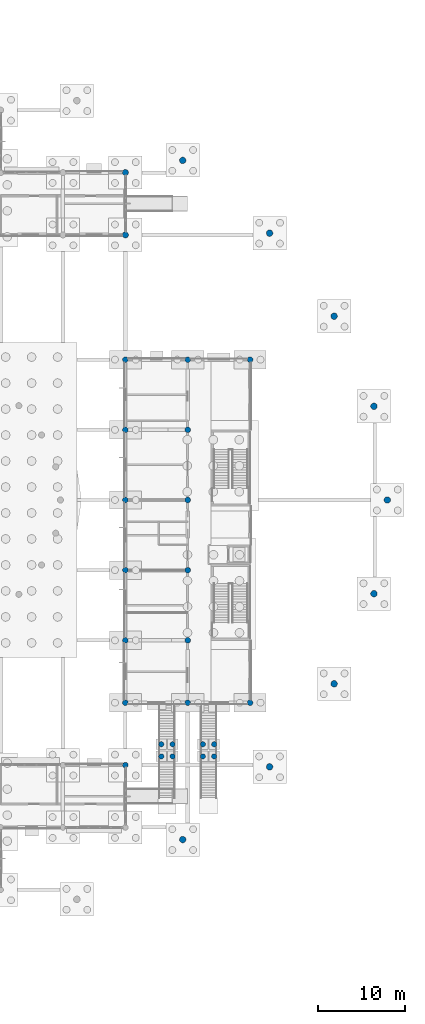
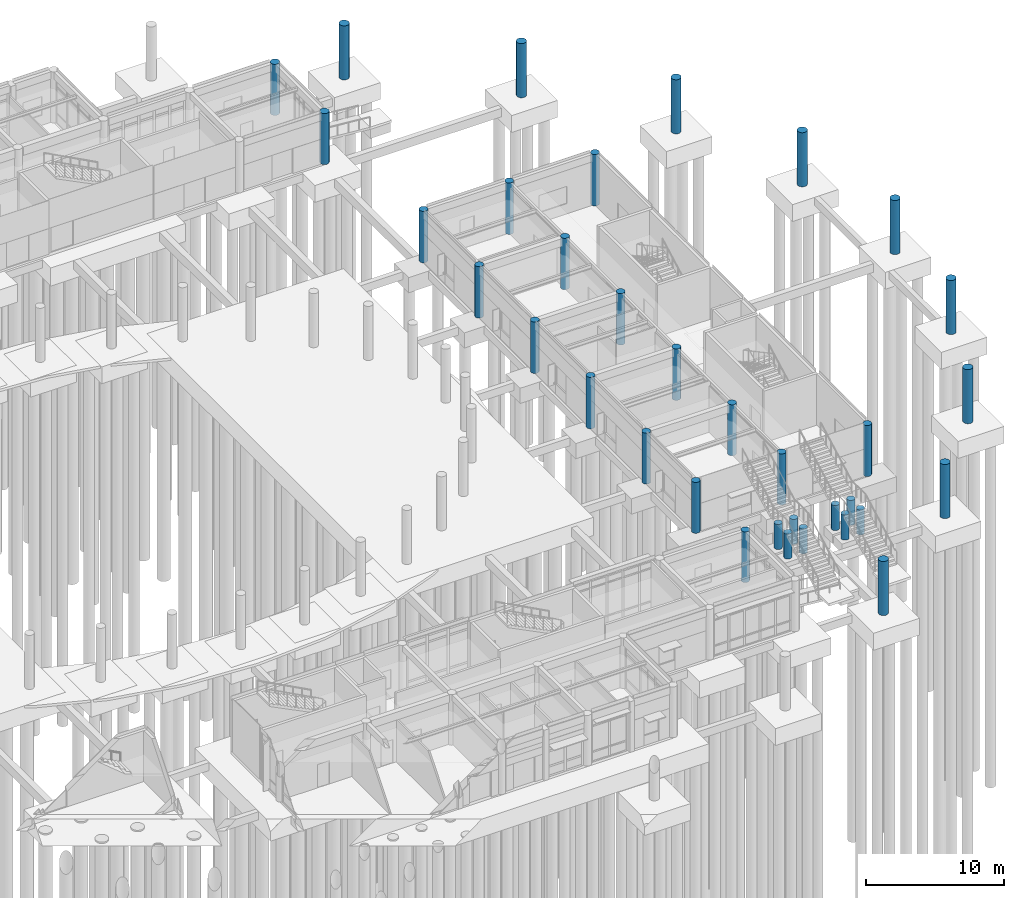
# One storey, part 10 of 103: 34 columns.
"""IFC4 building model written with IfcOpenShell, lengths in metres."""

import ifcopenshell
import ifcopenshell.guid

model = None  # the IFC model being written
_history = None  # IfcOwnerHistory: only IFC2X3 demands one
_inside = {}  # id of a spatial element -> (the spatial element, [elements in it])
_under = {}  # id of a project, library or spatial element -> (it, [spatial elements below it])
_declared = {}  # id of a project -> (the project, [libraries it declares])
_typed = {}  # id of a type object -> (the type object, [elements of that type])
_made_of = {}  # id of a material, layer set ... -> (it, [elements and type objects made of it])


def new_model(schema):
    """Start an empty IFC model of exactly this schema.

    Asked for "IFC4X3", IfcOpenShell would pick the latest addendum, in which some entities
    have other attributes; the version numbers below select the first issue.
    IFC2X3 requires an IfcOwnerHistory on every rooted entity: one is made here for all.
    """
    global model, _history
    if schema == "IFC4X3":
        model = ifcopenshell.file(schema_version=(4, 3, 0, 0))
    else:
        model = ifcopenshell.file(schema=schema)
    _inside.clear()
    _under.clear()
    _declared.clear()
    _typed.clear()
    _made_of.clear()
    _history = None
    if model.schema == "IFC2X3":
        org = make("IfcOrganization", Name="unknown")
        user = make(
            "IfcPersonAndOrganization",
            ThePerson=make("IfcPerson", FamilyName="unknown"),
            TheOrganization=org,
        )
        app = make(
            "IfcApplication",
            ApplicationDeveloper=org,
            Version="unknown",
            ApplicationFullName="unknown",
            ApplicationIdentifier="unknown",
        )
        _history = make(
            "IfcOwnerHistory",
            OwningUser=user,
            OwningApplication=app,
            ChangeAction="ADDED",
            CreationDate=0,
        )
    return model


def make(cls, **values):
    """One entity of the class cls with the attributes given. An attribute that is None is left unset."""
    return model.create_entity(
        cls, **{name: value for name, value in values.items() if value is not None}
    )


def rooted(cls, **values):
    """An entity with a GlobalId (a new one), such as an element, a storey or a relation."""
    return make(cls, GlobalId=ifcopenshell.guid.new(), OwnerHistory=_history, **values)


def si_unit(unit_type, name, prefix=None):
    """IfcSIUnit, for example si_unit("LENGTHUNIT", "METRE", prefix="MILLI")."""
    return make("IfcSIUnit", UnitType=unit_type, Prefix=prefix, Name=name)


def assignment(units):
    """IfcUnitAssignment: the units of a project."""
    return None if units is None else make("IfcUnitAssignment", Units=units)


def point(xyz):
    """IfcCartesianPoint."""
    return None if xyz is None else make("IfcCartesianPoint", Coordinates=xyz)


def direction(xyz):
    """IfcDirection."""
    return None if xyz is None else make("IfcDirection", DirectionRatios=xyz)


def frame(location, z_axis=None, x_axis=None):
    """IfcAxis2Placement3D, a coordinate frame: its origin and axes. An axis left out is left unset."""
    return make(
        "IfcAxis2Placement3D",
        Location=point(location),
        Axis=direction(z_axis),
        RefDirection=direction(x_axis),
    )


def frame_2d(location, x_axis=None):
    """IfcAxis2Placement2D, a coordinate frame in the plane: its origin and x axis."""
    return make(
        "IfcAxis2Placement2D", Location=point(location), RefDirection=direction(x_axis)
    )


def origin():
    """The frame at (0, 0, 0) with its axes left unset."""
    return frame((0.0, 0.0, 0.0))


def origin_2d():
    """The frame at (0, 0) in the plane with its x axis left unset."""
    return frame_2d((0.0, 0.0))


def place(relative_to, where):
    """IfcLocalPlacement: puts the frame where relative to a parent placement (None: the world)."""
    return make(
        "IfcLocalPlacement", PlacementRelTo=relative_to, RelativePlacement=where
    )


def context(
    kind, dimensions, precision=None, world=None, true_north=None, identifier=None
):
    """IfcGeometricRepresentationContext, for example the 3D "Model" context."""
    return make(
        "IfcGeometricRepresentationContext",
        ContextIdentifier=identifier,
        ContextType=kind,
        CoordinateSpaceDimension=dimensions,
        Precision=precision,
        WorldCoordinateSystem=world,
        TrueNorth=true_north,
    )


def subcontext(parent, identifier, kind, view, scale=None):
    """IfcGeometricRepresentationSubContext, for example "Body" below "Model"."""
    return make(
        "IfcGeometricRepresentationSubContext",
        ContextIdentifier=identifier,
        ContextType=kind,
        ParentContext=parent,
        TargetScale=scale,
        TargetView=view,
    )


def project(units=None, contexts=None):
    """IfcProject with its units and contexts."""
    return rooted(
        "IfcProject",
        Name="project",
        RepresentationContexts=contexts,
        UnitsInContext=assignment(units),
    )


def spatial(cls, under=None, at=None, **own):
    """A site, building, storey or space (cls), placed at a placement, below another one or the project."""
    s = rooted(cls, ObjectPlacement=at, **own)
    if under is not None:
        _under.setdefault(under.id(), (under, []))[1].append(s)
    return s


def profile(cls, at=None, kind="AREA", **sizes):
    """A parametric profile (cls). Its sizes go by their IFC names, for example OverallWidth=200.0."""
    return make(cls, ProfileType=kind, Position=at, **sizes)


def circle(**sizes):
    """IfcCircleProfileDef."""
    return profile("IfcCircleProfileDef", **sizes)


def extrude(swept, where, along, depth):
    """IfcExtrudedAreaSolid: the profile swept, set in the frame where, extruded along a direction by depth."""
    return make(
        "IfcExtrudedAreaSolid",
        SweptArea=swept,
        Position=where,
        ExtrudedDirection=direction(along),
        Depth=depth,
    )


def shape(context_of_items, identifier, shape_type, items):
    """IfcShapeRepresentation: the items that make up one representation, for example the "Body"."""
    return make(
        "IfcShapeRepresentation",
        ContextOfItems=context_of_items,
        RepresentationIdentifier=identifier,
        RepresentationType=shape_type,
        Items=items,
    )


def material(Name=None, Category=None):
    """IfcMaterial."""
    return make("IfcMaterial", Name=Name, Category=Category)


def material_profile(
    of_material, cross_section, Name=None, Category=None, Priority=None
):
    """IfcMaterialProfile: a cross section and its material."""
    return make(
        "IfcMaterialProfile",
        Name=Name,
        Material=of_material,
        Profile=cross_section,
        Priority=Priority,
        Category=Category,
    )


def profile_set(profiles, Name=None, composite=None):
    """IfcMaterialProfileSet."""
    return make(
        "IfcMaterialProfileSet",
        Name=Name,
        MaterialProfiles=profiles,
        CompositeProfile=composite,
    )


def made_of(thing, what):
    """Note that an element or type object is made of a material, layer set ...; save() writes the relation."""
    if what is not None:
        _made_of.setdefault(what.id(), (what, []))[1].append(thing)
    return thing


def type_object(cls, material=None, **own):
    """A type object (cls), such as IfcWallType, which elements share."""
    return made_of(rooted(cls, **own), material)


def element(
    cls,
    number,
    at=None,
    inside=None,
    cuts=None,
    type_object=None,
    material=None,
    context=None,
    identifier="Body",
    shape_type=None,
    held_by="IfcProductDefinitionShape",
    body=None,
    shapes=None,
    **own,
):
    """One element of the class cls, such as IfcWall. Its Tag is "e" and its number.

    at: its placement. inside: the storey or other place that contains it. cuts: it is an
    opening in that element (IfcRelVoidsElement). A single representation is given by context,
    identifier, shape_type and body (its items); several are given by shapes. held_by: the class
    of the entity that holds the representations. save() writes the other relations.
    """
    e = rooted(cls, Tag="e%d" % number, ObjectPlacement=at, **own)
    if body is not None:
        shapes = [shape(context, identifier, shape_type, body)]
    if shapes is not None:
        e.Representation = make(held_by, Representations=shapes)
    if inside is not None:
        _inside.setdefault(inside.id(), (inside, []))[1].append(e)
    if cuts is not None:
        rooted(
            "IfcRelVoidsElement", RelatingBuildingElement=cuts, RelatedOpeningElement=e
        )
    if type_object is not None:
        _typed.setdefault(type_object.id(), (type_object, []))[1].append(e)
    return made_of(e, material)


def aggregate(whole, parts):
    """IfcRelAggregates: a whole, such as a stair, and the parts it consists of."""
    return rooted("IfcRelAggregates", RelatingObject=whole, RelatedObjects=parts)


def save(model, path):
    """Write the relations noted so far, then the file.

    IfcRelAggregates (storeys below a building ...), IfcRelContainedInSpatialStructure (elements
    in a storey), IfcRelDefinesByType, IfcRelAssociatesMaterial and IfcRelDeclares: one each for
    every whole, place, type object, material and project.
    """
    for whole, parts in _under.values():
        aggregate(whole, parts)
    for where, things in _inside.values():
        rooted(
            "IfcRelContainedInSpatialStructure",
            RelatedElements=things,
            RelatingStructure=where,
        )
    for kind, things in _typed.values():
        rooted("IfcRelDefinesByType", RelatedObjects=things, RelatingType=kind)
    for what, things in _made_of.values():
        rooted("IfcRelAssociatesMaterial", RelatedObjects=things, RelatingMaterial=what)
    for by, libraries in _declared.values():
        rooted("IfcRelDeclares", RelatingContext=by, RelatedDefinitions=libraries)
    model.write(path)


model = new_model("IFC4")

# Units and contexts
model_context = context("Model", 3, precision=1e-05, world=origin(), true_north=direction((0.0, 1.0)))
body_context = subcontext(model_context, "Body", "Model", "MODEL_VIEW")
ifc_project = project(units=[si_unit("LENGTHUNIT", "METRE"), si_unit("AREAUNIT", "SQUARE_METRE"), si_unit("VOLUMEUNIT", "CUBIC_METRE"), si_unit("PLANEANGLEUNIT", "RADIAN"), si_unit("MASSUNIT", "GRAM", prefix="KILO")], contexts=[model_context])

# Site, building, storey
site_placement = place(None, origin())
site = spatial("IfcSite", under=ifc_project, at=site_placement, CompositionType="ELEMENT")
building_placement = place(site_placement, origin())
building = spatial("IfcBuilding", under=site, at=building_placement, Name="Namkhue Oval Health Centre", CompositionType="ELEMENT")
storey_placement = place(building_placement, origin())
storey = spatial("IfcBuildingStorey", under=building, at=storey_placement, Name="L00", CompositionType="ELEMENT", Elevation=0.0)

# Columns
ifc_material = material(Name="Reinforced concrete C35/45 (TCVN B40)", Category="concrete")
ifc_material_profile_1 = material_profile(ifc_material, circle(Radius=0.300048828125, at=origin_2d()), Name="RC D600")
ifc_profile_set_1 = profile_set([ifc_material_profile_1], Name="Reinforced concrete C35/45 (TCVN B40)")
column_type_1 = type_object("IfcColumnType", Name="RC COLUMN D600 EXT", PredefinedType="COLUMN", material=ifc_profile_set_1)
for number, where, z_axis, x_axis, name in (
    (1, (142.25, 29.804931640625, 0.0), (0.0, 0.0, 1.0), (1.0, 0.0, 0.0), "Rehab Terrace West Garden Straight Stair Landing Column 1"),
    (2, (140.949951171875, 29.804931640625, 0.0), (0.0, 0.0, 1.0), (1.0, 0.0, 0.0), "Rehab Terrace West Garden Straight Stair Landing Column 2"),
    (3, (142.25, 31.205078125, 0.0), (0.0, 0.0, 1.0), (1.0, 0.0, 0.0), "Rehab Terrace West Garden Straight Stair Landing Column 3"),
    (4, (140.949951171875, 31.205078125, 0.0), (0.0, 0.0, 1.0), (1.0, 0.0, 0.0), "Rehab Terrace West Garden Straight Stair Landing Column 4"),
    (5, (147.050048828125, 29.804931640625, 0.0), (0.0, 0.0, 1.0), (1.0, 0.0, 0.0), "Rehab Terrace East Garden Straight Stair Landing Column 1"),
    (6, (145.75, 29.804931640625, 0.0), (0.0, 0.0, 1.0), (1.0, 0.0, 0.0), "Rehab Terrace East Garden Straight Stair Landing Column 2"),
    (7, (147.050048828125, 31.205078125, 0.0), (0.0, 0.0, 1.0), (1.0, 0.0, 0.0), "Rehab Terrace East Garden Straight Stair Landing Column 3"),
    (8, (145.75, 31.205078125, 0.0), (0.0, 0.0, 1.0), (1.0, 0.0, 0.0), "Rehab Terrace East Garden Straight Stair Landing Column 4"),
):
    element("IfcColumn", number, at=place(storey_placement, frame(where, z_axis=z_axis, x_axis=x_axis)), inside=storey, type_object=column_type_1, Name=name, PredefinedType="COLUMN", context=body_context, shape_type="SweptSolid", body=[
        extrude(circle(Radius=0.300048828125, at=origin_2d()), origin(), (0.0, 0.0, 1.0), 2.219970703125),
    ])
ifc_material_profile_2 = material_profile(ifc_material, circle(Radius=0.324951171875, at=origin_2d()), Name="RC D650")
ifc_profile_set_2 = profile_set([ifc_material_profile_2], Name="Reinforced concrete C35/45 (TCVN B40)")
column_type_2 = type_object("IfcColumnType", Name="RC COLUMN D650 EXT", PredefinedType="COLUMN", material=ifc_profile_set_2)
column_1_placement = place(storey_placement, frame((136.800048828125, 28.800048828125, 0.0), z_axis=(0.0, 0.0, 1.0), x_axis=(1.0, 0.0, 0.0)))
element("IfcColumn", 9, at=column_1_placement, inside=storey, type_object=column_type_2, Name="Volume V5 L00 Column 20/E", PredefinedType="COLUMN", context=body_context, shape_type="SweptSolid", body=[
    extrude(circle(Radius=0.324951171875, at=origin_2d()), origin(), (0.0, 0.0, 1.0), 4.4951171875),
])
for number, where, z_axis, x_axis, name in (
    (10, (136.800048828125, 36.0, 0.0), (0.0, 0.0, 1.0), (1.0, 0.0, 0.0), "Volume V6 L00 Column 20/F"),
    (11, (136.800048828125, 43.199951171875, 0.0), (0.0, 0.0, 1.0), (1.0, 0.0, 0.0), "Volume V6 L00 Column 20/G"),
):
    element("IfcColumn", number, at=place(storey_placement, frame(where, z_axis=z_axis, x_axis=x_axis)), inside=storey, type_object=column_type_2, Name=name, PredefinedType="COLUMN", context=body_context, shape_type="SweptSolid", body=[
        extrude(circle(Radius=0.324951171875, at=origin_2d()), origin(), (0.0, 0.0, 1.0), 4.52197265625),
    ])
for number, where, z_axis, x_axis, name in (
    (12, (136.800048828125, 51.300048828125, 0.0), (0.0, 0.0, 1.0), (1.0, 0.0, 0.0), "Volume V6 L00 Column 20/H"),
    (13, (136.800048828125, 59.39990234375, 0.0), (0.0, 0.0, 1.0), (1.0, 0.0, 0.0), "Volume V6 L00 Column 20/J"),
    (14, (136.800048828125, 67.5, 0.0), (0.0, 0.0, 1.0), (1.0, 0.0, 0.0), "Volume V6 L00 Column 20/K"),
    (15, (136.800048828125, 75.60009765625, 0.0), (0.0, 0.0, 1.0), (1.0, 0.0, 0.0), "Volume V6 L00 Column 20/L"),
):
    element("IfcColumn", number, at=place(storey_placement, frame(where, z_axis=z_axis, x_axis=x_axis)), inside=storey, type_object=column_type_2, Name=name, PredefinedType="COLUMN", context=body_context, shape_type="SweptSolid", body=[
        extrude(circle(Radius=0.324951171875, at=origin_2d()), origin(), (0.0, 0.0, 1.0), 4.56494140625),
    ])
column_2_placement = place(storey_placement, frame((144.0, 36.0, 0.0), z_axis=(0.0, 0.0, 1.0), x_axis=(1.0, 0.0, 0.0)))
element("IfcColumn", 16, at=column_2_placement, inside=storey, type_object=column_type_2, Name="Volume V6 L00 Column 21/F", PredefinedType="COLUMN", context=body_context, shape_type="SweptSolid", body=[
    extrude(circle(Radius=0.324951171875, at=origin_2d()), origin(), (0.0, 0.0, 1.0), 4.52197265625),
])
column_3_placement = place(storey_placement, frame((144.0, 75.60009765625, 0.0), z_axis=(0.0, 0.0, 1.0), x_axis=(1.0, 0.0, 0.0)))
element("IfcColumn", 17, at=column_3_placement, inside=storey, type_object=column_type_2, Name="Volume V6 L00 Column 21/L", PredefinedType="COLUMN", context=body_context, shape_type="SweptSolid", body=[
    extrude(circle(Radius=0.324951171875, at=origin_2d()), origin(), (0.0, 0.0, 1.0), 4.56494140625),
])
column_4_placement = place(storey_placement, frame((151.199951171875, 36.0, 0.0), z_axis=(0.0, 0.0, 1.0), x_axis=(1.0, 0.0, 0.0)))
element("IfcColumn", 18, at=column_4_placement, inside=storey, type_object=column_type_2, Name="Volume V6 L00 Column 22/F", PredefinedType="COLUMN", context=body_context, shape_type="SweptSolid", body=[
    extrude(circle(Radius=0.324951171875, at=origin_2d()), origin(), (0.0, 0.0, 1.0), 4.52197265625),
])
column_5_placement = place(storey_placement, frame((151.199951171875, 75.60009765625, 0.0), z_axis=(0.0, 0.0, 1.0), x_axis=(1.0, 0.0, 0.0)))
element("IfcColumn", 19, at=column_5_placement, inside=storey, type_object=column_type_2, Name="Volume V6 L00 Column 22/L", PredefinedType="COLUMN", context=body_context, shape_type="SweptSolid", body=[
    extrude(circle(Radius=0.324951171875, at=origin_2d()), origin(), (0.0, 0.0, 1.0), 4.56494140625),
])
ifc_material_profile_3 = material_profile(ifc_material, circle(Radius=0.324951171875, at=origin_2d()), Name="RC D650")
ifc_profile_set_3 = profile_set([ifc_material_profile_3], Name="Reinforced concrete C35/45 (TCVN B40)")
column_type_3 = type_object("IfcColumnType", Name="RC COLUMN D650 INT", PredefinedType="COLUMN", material=ifc_profile_set_3)
column_6_placement = place(storey_placement, frame((144.0, 43.199951171875, 0.0), z_axis=(0.0, 0.0, 1.0), x_axis=(1.0, 0.0, 0.0)))
element("IfcColumn", 20, at=column_6_placement, inside=storey, type_object=column_type_3, Name="Volume V6 L00 Column 21/G", PredefinedType="COLUMN", context=body_context, shape_type="SweptSolid", body=[
    extrude(circle(Radius=0.324951171875, at=origin_2d()), origin(), (0.0, 0.0, 1.0), 4.52197265625),
])
for number, where, z_axis, x_axis, name in (
    (21, (144.0, 51.300048828125, 0.0), (0.0, 0.0, 1.0), (1.0, 0.0, 0.0), "Volume V6 L00 Column 21/H"),
    (22, (144.0, 59.39990234375, 0.0), (0.0, 0.0, 1.0), (1.0, 0.0, 0.0), "Volume V6 L00 Column 21/J"),
    (23, (144.0, 67.5, 0.0), (0.0, 0.0, 1.0), (1.0, 0.0, 0.0), "Volume V6 L00 Column 21/K"),
):
    element("IfcColumn", number, at=place(storey_placement, frame(where, z_axis=z_axis, x_axis=x_axis)), inside=storey, type_object=column_type_3, Name=name, PredefinedType="COLUMN", context=body_context, shape_type="SweptSolid", body=[
        extrude(circle(Radius=0.324951171875, at=origin_2d()), origin(), (0.0, 0.0, 1.0), 4.56494140625),
    ])
ifc_material_profile_4 = material_profile(ifc_material, circle(Radius=0.35009765625, at=origin_2d()), Name="RC D700")
ifc_profile_set_4 = profile_set([ifc_material_profile_4], Name="Reinforced concrete C35/45 (TCVN B40)")
column_type_4 = type_object("IfcColumnType", Name="RC COLUMN D700 EXT", PredefinedType="COLUMN", material=ifc_profile_set_4)
for number, where, z_axis, x_axis, name in (
    (24, (136.800048828125, 90.0, 0.0), (0.0, 0.0, 1.0), (1.0, 0.0, 0.0), "Volume V3 L00 Column 20/N"),
    (25, (136.800048828125, 97.199951171875, 0.0), (0.0, 0.0, 1.0), (1.0, 0.0, 0.0), "Volume V3 L00 Column 20/O"),
):
    element("IfcColumn", number, at=place(storey_placement, frame(where, z_axis=z_axis, x_axis=x_axis)), inside=storey, type_object=column_type_4, Name=name, PredefinedType="COLUMN", context=body_context, shape_type="SweptSolid", body=[
        extrude(circle(Radius=0.35009765625, at=origin_2d()), origin(), (0.0, 0.0, 1.0), 4.534912109375),
    ])
ifc_material_profile_5 = material_profile(ifc_material, circle(Radius=0.375, at=origin_2d()), Name="RC D750")
ifc_profile_set_5 = profile_set([ifc_material_profile_5], Name="Reinforced concrete C35/45 (TCVN B40)")
column_type_5 = type_object("IfcColumnType", Name="RC COLUMN D750 EXT", PredefinedType="COLUMN", material=ifc_profile_set_5)
for number, where, z_axis, x_axis, name in (
    (26, (167.0400390625, 59.39990234375, 0.0), (0.0, 0.0, 1.0), (1.0, 0.0, 0.0), "Gridshell OR Colonnade Column 1 L00"),
    (27, (165.490478515625, 70.2158203125, 0.0), (0.0, 0.0, 1.0), (1.0, 0.0, 0.0), "Gridshell OR Colonnade Column 2 L00"),
    (28, (160.901611328125, 80.615966796875, 0.0), (0.0, 0.0, 1.0), (1.0, 0.0, 0.0), "Gridshell OR Colonnade Column 3 L00"),
    (29, (153.44970703125, 90.200927734375, 0.0), (0.0, 0.0, 1.0), (1.0, 0.0, 0.0), "Gridshell OR Colonnade Column 4 L00"),
    (30, (143.421142578125, 98.60205078125, 0.0), (0.0, 0.0, 1.0), (1.0, 0.0, 0.0), "Gridshell OR Colonnade Column 5 L00"),
    (31, (143.421142578125, 20.197998046875, 0.0), (0.0, 0.0, 1.0), (1.0, 0.0, 0.0), "Gridshell OR Colonnade Column 29 L00"),
    (32, (153.44970703125, 28.59912109375, 0.0), (0.0, 0.0, 1.0), (1.0, 0.0, 0.0), "Gridshell OR Colonnade Column 30 L00"),
    (33, (160.901611328125, 38.18408203125, 0.0), (0.0, 0.0, 1.0), (1.0, 0.0, 0.0), "Gridshell OR Colonnade Column 31 L00"),
    (34, (165.490478515625, 48.584228515625, 0.0), (0.0, 0.0, 1.0), (1.0, 0.0, 0.0), "Gridshell OR Colonnade Column 32 L00"),
):
    element("IfcColumn", number, at=place(storey_placement, frame(where, z_axis=z_axis, x_axis=x_axis)), inside=storey, type_object=column_type_5, Name=name, PredefinedType="COLUMN", context=body_context, shape_type="SweptSolid", body=[
        extrude(circle(Radius=0.375, at=origin_2d()), origin(), (0.0, 0.0, 1.0), 4.800048828125),
    ])

save(model, "model.ifc")
